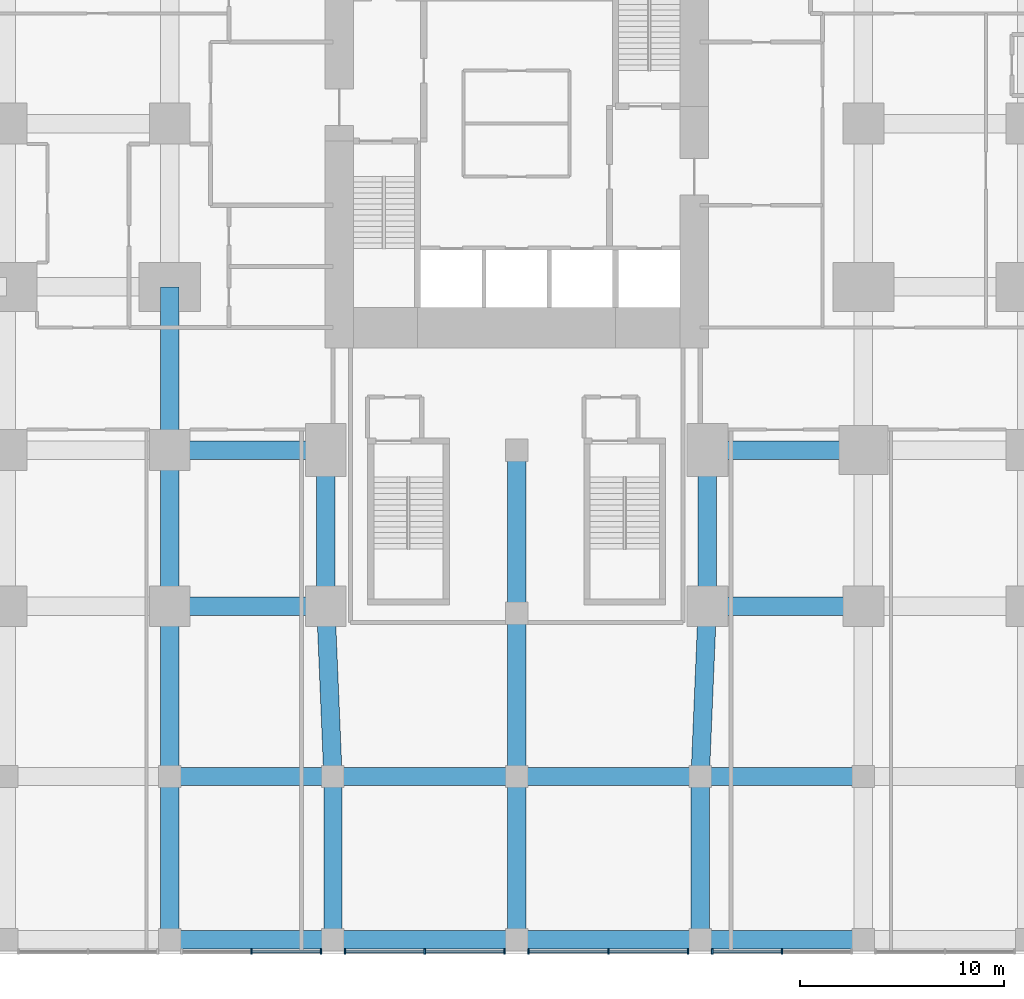
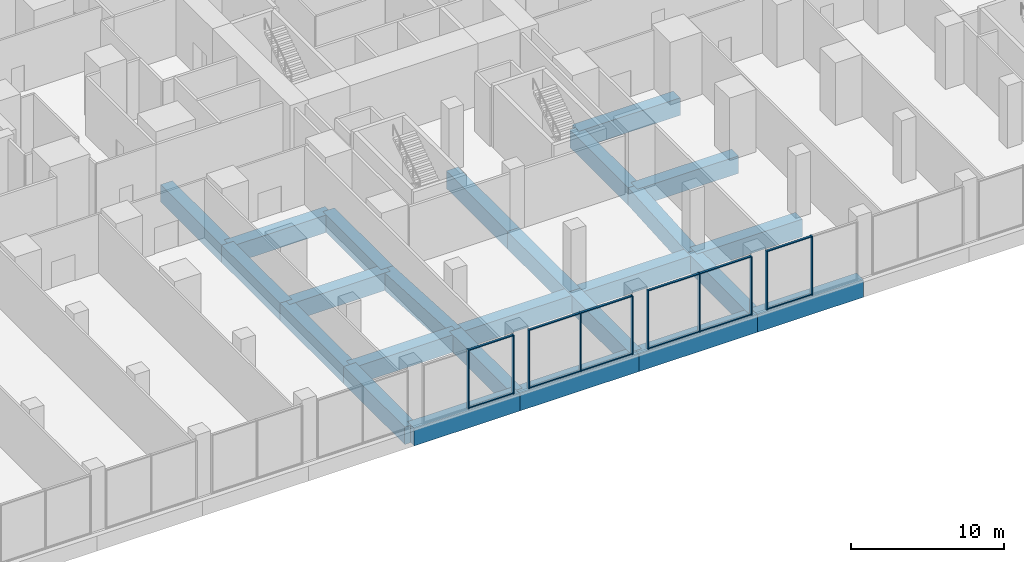
# One storey, part 3 of 22: 25 beams, 22 members, 4 elements without a shape of their own.
"""IFC4 building model written with IfcOpenShell, lengths in metres."""

from ifc_helpers import new_model, si_unit, direction, frame, origin, origin_2d, place, context, subcontext, project, spatial, rectangle, extrude, material, layer, layer_set, material_profile, profile_set, type_object, element, aggregate, save


model = new_model("IFC4")

# Units and contexts
model_context = context("Model", 3, precision=1e-05, world=origin(), true_north=direction((0.0, 1.0)))
body_context = subcontext(model_context, "Body", "Model", "MODEL_VIEW")
ifc_project = project(units=[si_unit("LENGTHUNIT", "METRE"), si_unit("AREAUNIT", "SQUARE_METRE"), si_unit("VOLUMEUNIT", "CUBIC_METRE"), si_unit("PLANEANGLEUNIT", "RADIAN"), si_unit("MASSUNIT", "GRAM", prefix="KILO")], contexts=[model_context])

# Site, building, storey
site_placement = place(None, origin())
site = spatial("IfcSite", under=ifc_project, at=site_placement, CompositionType="ELEMENT")
building_placement = place(site_placement, origin())
building = spatial("IfcBuilding", under=site, at=building_placement, Name="Cleftline Residences", CompositionType="ELEMENT")
storey_placement = place(building_placement, frame((0.0, 0.0, 6.0)))
storey = spatial("IfcBuildingStorey", under=building, at=storey_placement, Name="L01", CompositionType="ELEMENT", Elevation=6.0)

# Beams
ifc_material_1 = material(Name="Concrete B45", Category="concrete")
ifc_material_profile_1 = material_profile(ifc_material_1, rectangle(XDim=0.89990234375, YDim=1.39990234375, at=origin_2d()))
ifc_profile_set_1 = profile_set([ifc_material_profile_1], Name="Concrete B45")
beam_type = type_object("IfcBeamType", Name="BEAM RC900X1400", PredefinedType="BEAM", material=ifc_profile_set_1)
beam_1_placement = place(storey_placement, frame((16.0, -16.0, -1.0), z_axis=(1.0, 0.0, 0.0), x_axis=(0.0, 1.0, 0.0)))
element("IfcBeam", 1, at=beam_1_placement, inside=storey, type_object=beam_type, Name="Podium beam", PredefinedType="BEAM", context=body_context, shape_type="SweptSolid", body=[
    extrude(rectangle(XDim=0.89990234375, YDim=1.39990234375, at=origin_2d()), origin(), (0.0, 0.0, 1.0), 8.0),
])
for number, where, z_axis, x_axis, name in (
    (2, (24.0, -16.0, -1.0), (1.0, 0.0, 0.0), (0.0, 1.0, 0.0), "Podium beam"),
    (3, (33.0, -16.0, -1.0), (1.0, 0.0, 0.0), (0.0, 1.0, 0.0), "Podium beam"),
):
    element("IfcBeam", number, at=place(storey_placement, frame(where, z_axis=z_axis, x_axis=x_axis)), inside=storey, type_object=beam_type, Name=name, PredefinedType="BEAM", context=body_context, shape_type="SweptSolid", body=[
        extrude(rectangle(XDim=0.89990234375, YDim=1.39990234375, at=origin_2d()), origin(), (0.0, 0.0, 1.0), 9.0),
    ])
for number, where, z_axis, x_axis, name in (
    (4, (42.0, -16.0, -1.0), (1.0, 0.0, 0.0), (0.0, 1.0, 0.0), "Podium beam"),
    (5, (16.0, -8.0, -1.0), (1.0, 0.0, 0.0), (0.0, 1.0, 0.0), "Podium beam"),
):
    element("IfcBeam", number, at=place(storey_placement, frame(where, z_axis=z_axis, x_axis=x_axis)), inside=storey, type_object=beam_type, Name=name, PredefinedType="BEAM", context=body_context, shape_type="SweptSolid", body=[
        extrude(rectangle(XDim=0.89990234375, YDim=1.39990234375, at=origin_2d()), origin(), (0.0, 0.0, 1.0), 8.0),
    ])
for number, where, z_axis, x_axis, name in (
    (6, (24.0, -8.0, -1.0), (1.0, 0.0, 0.0), (0.0, 1.0, 0.0), "Podium beam"),
    (7, (33.0, -8.0, -1.0), (1.0, 0.0, 0.0), (0.0, 1.0, 0.0), "Podium beam"),
):
    element("IfcBeam", number, at=place(storey_placement, frame(where, z_axis=z_axis, x_axis=x_axis)), inside=storey, type_object=beam_type, Name=name, PredefinedType="BEAM", context=body_context, shape_type="SweptSolid", body=[
        extrude(rectangle(XDim=0.89990234375, YDim=1.39990234375, at=origin_2d()), origin(), (0.0, 0.0, 1.0), 9.0),
    ])
beam_2_placement = place(storey_placement, frame((42.0, -8.0, -1.0), z_axis=(1.0, 0.0, 0.0), x_axis=(0.0, 1.0, 0.0)))
element("IfcBeam", 8, at=beam_2_placement, inside=storey, type_object=beam_type, Name="Podium beam", PredefinedType="BEAM", context=body_context, shape_type="SweptSolid", body=[
    extrude(rectangle(XDim=0.89990234375, YDim=1.39990234375, at=origin_2d()), origin(), (0.0, 0.0, 1.0), 8.0),
])
for number, where, z_axis, x_axis, name in (
    (9, (16.0, 0.35009765625, -1.0), (1.0, 0.0, 0.0), (0.0, 1.0, 0.0), "Podium beam"),
    (10, (42.35009765625, 0.35009765625, -1.0), (1.0, 0.0, 0.0), (0.0, 1.0, 0.0), "Podium beam"),
    (11, (16.0, 8.0, -1.0), (1.0, 0.0, 0.0), (0.0, 1.0, 0.0), "Podium beam"),
    (12, (42.35009765625, 8.0, -1.0), (1.0, 0.0, 0.0), (0.0, 1.0, 0.0), "Podium beam"),
):
    element("IfcBeam", number, at=place(storey_placement, frame(where, z_axis=z_axis, x_axis=x_axis)), inside=storey, type_object=beam_type, Name=name, PredefinedType="BEAM", context=body_context, shape_type="SweptSolid", body=[
        extrude(rectangle(XDim=0.89990234375, YDim=1.39990234375, at=origin_2d()), origin(), (0.0, 0.0, 1.0), 7.64990234375),
    ])
beam_3_placement = place(storey_placement, frame((16.0, -16.0, -1.0), z_axis=(0.0, 1.0, 0.0), x_axis=(-1.0, 0.0, 0.0)))
element("IfcBeam", 13, at=beam_3_placement, inside=storey, type_object=beam_type, Name="Podium beam", PredefinedType="BEAM", context=body_context, shape_type="SweptSolid", body=[
    extrude(rectangle(XDim=0.89990234375, YDim=1.39990234375, at=origin_2d()), origin(), (0.0, 0.0, 1.0), 8.0),
])
beam_4_placement = place(storey_placement, frame((16.0, -8.0, -1.0), z_axis=(0.0, 1.0, 0.0), x_axis=(-1.0, 0.0, 0.0)))
element("IfcBeam", 14, at=beam_4_placement, inside=storey, type_object=beam_type, Name="Podium beam", PredefinedType="BEAM", context=body_context, shape_type="SweptSolid", body=[
    extrude(rectangle(XDim=0.89990234375, YDim=1.39990234375, at=origin_2d()), origin(), (0.0, 0.0, 1.0), 8.35009765625),
])
beam_5_placement = place(storey_placement, frame((16.0, 0.35009765625, -1.0), z_axis=(0.0, 1.0, 0.0), x_axis=(-1.0, 0.0, 0.0)))
element("IfcBeam", 15, at=beam_5_placement, inside=storey, type_object=beam_type, Name="Podium beam", PredefinedType="BEAM", context=body_context, shape_type="SweptSolid", body=[
    extrude(rectangle(XDim=0.89990234375, YDim=1.39990234375, at=origin_2d()), origin(), (0.0, 0.0, 1.0), 7.64990234375),
])
for number, where, z_axis, x_axis, name in (
    (16, (16.0, 8.0, -1.0), (0.0, 1.0, 0.0), (-1.0, 0.0, 0.0), "Podium beam"),
    (17, (24.0, -16.0, -1.0), (0.0, 1.0, 0.0), (-1.0, 0.0, 0.0), "Podium beam"),
):
    element("IfcBeam", number, at=place(storey_placement, frame(where, z_axis=z_axis, x_axis=x_axis)), inside=storey, type_object=beam_type, Name=name, PredefinedType="BEAM", context=body_context, shape_type="SweptSolid", body=[
        extrude(rectangle(XDim=0.89990234375, YDim=1.39990234375, at=origin_2d()), origin(), (0.0, 0.0, 1.0), 8.0),
    ])
beam_6_placement = place(storey_placement, frame((24.0, -8.0, -1.0), z_axis=(-0.041890569024, 0.999122204851, 0.0), x_axis=(-0.999122204851, -0.041890569024, 0.0)))
element("IfcBeam", 18, at=beam_6_placement, inside=storey, type_object=beam_type, Name="Podium beam", PredefinedType="BEAM", context=body_context, shape_type="SweptSolid", body=[
    extrude(rectangle(XDim=0.89990234375, YDim=1.39990234375, at=origin_2d()), origin(), (0.0, 0.0, 1.0), 8.357421875),
])
beam_7_placement = place(storey_placement, frame((23.64990234375, 0.35009765625, -1.0), z_axis=(0.0, 1.0, 0.0), x_axis=(-1.0, 0.0, 0.0)))
element("IfcBeam", 19, at=beam_7_placement, inside=storey, type_object=beam_type, Name="Podium beam", PredefinedType="BEAM", context=body_context, shape_type="SweptSolid", body=[
    extrude(rectangle(XDim=0.89990234375, YDim=1.39990234375, at=origin_2d()), origin(), (0.0, 0.0, 1.0), 7.64990234375),
])
for number, where, z_axis, x_axis, name in (
    (20, (33.0, -16.0, -1.0), (0.0, 1.0, 0.0), (-1.0, 0.0, 0.0), "Podium beam"),
    (21, (33.0, -8.0, -1.0), (0.0, 1.0, 0.0), (-1.0, 0.0, 0.0), "Podium beam"),
    (22, (33.0, 0.0, -1.0), (0.0, 1.0, 0.0), (-1.0, 0.0, 0.0), "Podium beam"),
    (23, (42.0, -16.0, -1.0), (0.0, 1.0, 0.0), (-1.0, 0.0, 0.0), "Podium beam"),
):
    element("IfcBeam", number, at=place(storey_placement, frame(where, z_axis=z_axis, x_axis=x_axis)), inside=storey, type_object=beam_type, Name=name, PredefinedType="BEAM", context=body_context, shape_type="SweptSolid", body=[
        extrude(rectangle(XDim=0.89990234375, YDim=1.39990234375, at=origin_2d()), origin(), (0.0, 0.0, 1.0), 8.0),
    ])
beam_8_placement = place(storey_placement, frame((42.0, -8.0, -1.0), z_axis=(0.041890569024, 0.999122204851, 0.0), x_axis=(-0.999122204851, 0.041890569024, 0.0)))
element("IfcBeam", 24, at=beam_8_placement, inside=storey, type_object=beam_type, Name="Podium beam", PredefinedType="BEAM", context=body_context, shape_type="SweptSolid", body=[
    extrude(rectangle(XDim=0.89990234375, YDim=1.39990234375, at=origin_2d()), origin(), (0.0, 0.0, 1.0), 8.357421875),
])
beam_9_placement = place(storey_placement, frame((42.35009765625, 0.35009765625, -1.0), z_axis=(0.0, 1.0, 0.0), x_axis=(-1.0, 0.0, 0.0)))
element("IfcBeam", 25, at=beam_9_placement, inside=storey, type_object=beam_type, Name="Podium beam", PredefinedType="BEAM", context=body_context, shape_type="SweptSolid", body=[
    extrude(rectangle(XDim=0.89990234375, YDim=1.39990234375, at=origin_2d()), origin(), (0.0, 0.0, 1.0), 7.64990234375),
])

# Curtain wall, members
ifc_material_2 = material(Name="Aluminium framed curtain wall", Category="aluminium")
ifc_layer = layer(ifc_material_2, 0.199951171875)
ifc_layer_set = layer_set([ifc_layer], Name="CW2 PODIUM GLAZING")
curtain_wall_type = type_object("IfcCurtainWallType", Name="CW2 PODIUM GLAZING", PredefinedType="NOTDEFINED", material=ifc_layer_set)
curtain_wall_1_placement = place(storey_placement, origin())
curtain_wall_1 = element("IfcCurtainWall", 26, at=curtain_wall_1_placement, inside=storey, type_object=curtain_wall_type, Name="Curtain wall CW2", PredefinedType="NOTDEFINED")
ifc_material_3 = material(Name="Aluminium mullion", Category="aluminium")
ifc_material_profile_2 = material_profile(ifc_material_3, rectangle(XDim=0.25, YDim=0.080078125, at=origin_2d()))
ifc_profile_set_2 = profile_set([ifc_material_profile_2], Name="Aluminium mullion")
member_type_1 = type_object("IfcMemberType", Name="CW2 MULLION", PredefinedType="MULLION", material=ifc_profile_set_2)
member_1_placement = place(storey_placement, frame((20.0, -16.574951171875, 0.0), z_axis=(0.0, 0.0, 1.0), x_axis=(0.0, 1.0, 0.0)))
member_1 = element("IfcMember", 27, at=member_1_placement, type_object=member_type_1, Name="CW2 mullion 2", PredefinedType="MULLION", context=body_context, shape_type="SweptSolid", body=[
    extrude(rectangle(XDim=0.25, YDim=0.080078125, at=origin_2d()), origin(), (0.0, 0.0, 1.0), 4.699951171875),
])
member_2_placement = place(storey_placement, frame((23.409912109375, -16.574951171875, 0.0), z_axis=(0.0, 0.0, 1.0), x_axis=(0.0, 1.0, 0.0)))
member_2 = element("IfcMember", 28, at=member_2_placement, type_object=member_type_1, Name="CW2 mullion 3", PredefinedType="MULLION", context=body_context, shape_type="SweptSolid", body=[
    extrude(rectangle(XDim=0.25, YDim=0.080078125, at=origin_2d()), origin(), (0.0, 0.0, 1.0), 4.699951171875),
])

curtain_wall_2_placement = place(storey_placement, origin())
curtain_wall_2 = element("IfcCurtainWall", 29, at=curtain_wall_2_placement, inside=storey, type_object=curtain_wall_type, Name="Curtain wall CW2", PredefinedType="NOTDEFINED")
member_3_placement = place(storey_placement, frame((24.590087890625, -16.574951171875, 0.0), z_axis=(0.0, 0.0, 1.0), x_axis=(0.0, 1.0, 0.0)))
member_3 = element("IfcMember", 30, at=member_3_placement, type_object=member_type_1, Name="CW2 mullion 1", PredefinedType="MULLION", context=body_context, shape_type="SweptSolid", body=[
    extrude(rectangle(XDim=0.25, YDim=0.080078125, at=origin_2d()), origin(), (0.0, 0.0, 1.0), 4.699951171875),
])
member_4_placement = place(storey_placement, frame((28.5, -16.574951171875, 0.0), z_axis=(0.0, 0.0, 1.0), x_axis=(0.0, 1.0, 0.0)))
member_4 = element("IfcMember", 31, at=member_4_placement, type_object=member_type_1, Name="CW2 mullion 2", PredefinedType="MULLION", context=body_context, shape_type="SweptSolid", body=[
    extrude(rectangle(XDim=0.25, YDim=0.080078125, at=origin_2d()), origin(), (0.0, 0.0, 1.0), 4.699951171875),
])
member_5_placement = place(storey_placement, frame((32.409912109375, -16.574951171875, 0.0), z_axis=(0.0, 0.0, 1.0), x_axis=(0.0, 1.0, 0.0)))
member_5 = element("IfcMember", 32, at=member_5_placement, type_object=member_type_1, Name="CW2 mullion 3", PredefinedType="MULLION", context=body_context, shape_type="SweptSolid", body=[
    extrude(rectangle(XDim=0.25, YDim=0.080078125, at=origin_2d()), origin(), (0.0, 0.0, 1.0), 4.699951171875),
])

curtain_wall_3_placement = place(storey_placement, origin())
curtain_wall_3 = element("IfcCurtainWall", 33, at=curtain_wall_3_placement, inside=storey, type_object=curtain_wall_type, Name="Curtain wall CW2", PredefinedType="NOTDEFINED")
member_6_placement = place(storey_placement, frame((33.590087890625, -16.574951171875, 0.0), z_axis=(0.0, 0.0, 1.0), x_axis=(0.0, 1.0, 0.0)))
member_6 = element("IfcMember", 34, at=member_6_placement, type_object=member_type_1, Name="CW2 mullion 1", PredefinedType="MULLION", context=body_context, shape_type="SweptSolid", body=[
    extrude(rectangle(XDim=0.25, YDim=0.080078125, at=origin_2d()), origin(), (0.0, 0.0, 1.0), 4.699951171875),
])
member_7_placement = place(storey_placement, frame((37.5, -16.574951171875, 0.0), z_axis=(0.0, 0.0, 1.0), x_axis=(0.0, 1.0, 0.0)))
member_7 = element("IfcMember", 35, at=member_7_placement, type_object=member_type_1, Name="CW2 mullion 2", PredefinedType="MULLION", context=body_context, shape_type="SweptSolid", body=[
    extrude(rectangle(XDim=0.25, YDim=0.080078125, at=origin_2d()), origin(), (0.0, 0.0, 1.0), 4.699951171875),
])
member_8_placement = place(storey_placement, frame((41.409912109375, -16.574951171875, 0.0), z_axis=(0.0, 0.0, 1.0), x_axis=(0.0, 1.0, 0.0)))
member_8 = element("IfcMember", 36, at=member_8_placement, type_object=member_type_1, Name="CW2 mullion 3", PredefinedType="MULLION", context=body_context, shape_type="SweptSolid", body=[
    extrude(rectangle(XDim=0.25, YDim=0.080078125, at=origin_2d()), origin(), (0.0, 0.0, 1.0), 4.699951171875),
])

curtain_wall_4_placement = place(storey_placement, origin())
curtain_wall_4 = element("IfcCurtainWall", 37, at=curtain_wall_4_placement, inside=storey, type_object=curtain_wall_type, Name="Curtain wall CW2", PredefinedType="NOTDEFINED")
member_9_placement = place(storey_placement, frame((42.590087890625, -16.574951171875, 0.0), z_axis=(0.0, 0.0, 1.0), x_axis=(0.0, 1.0, 0.0)))
member_9 = element("IfcMember", 38, at=member_9_placement, type_object=member_type_1, Name="CW2 mullion 1", PredefinedType="MULLION", context=body_context, shape_type="SweptSolid", body=[
    extrude(rectangle(XDim=0.25, YDim=0.080078125, at=origin_2d()), origin(), (0.0, 0.0, 1.0), 4.699951171875),
])
member_10_placement = place(storey_placement, frame((46.0, -16.574951171875, 0.0), z_axis=(0.0, 0.0, 1.0), x_axis=(0.0, 1.0, 0.0)))
member_10 = element("IfcMember", 39, at=member_10_placement, type_object=member_type_1, Name="CW2 mullion 2", PredefinedType="MULLION", context=body_context, shape_type="SweptSolid", body=[
    extrude(rectangle(XDim=0.25, YDim=0.080078125, at=origin_2d()), origin(), (0.0, 0.0, 1.0), 4.699951171875),
])

# Member
ifc_material_4 = material(Name="Aluminium transom", Category="aluminium")
ifc_material_profile_3 = material_profile(ifc_material_4, rectangle(XDim=0.14990234375, YDim=0.080078125, at=origin_2d()))
ifc_profile_set_3 = profile_set([ifc_material_profile_3], Name="Aluminium transom")
member_type_2 = type_object("IfcMemberType", Name="CW2 TRANSOM", PredefinedType="USERDEFINED", material=ifc_profile_set_3)
member_11_placement = place(storey_placement, frame((20.0400390625, -16.574951171875, 0.0400390625), z_axis=(1.0, 0.0, 0.0), x_axis=(0.0, 1.0, 0.0)))
member_11 = element("IfcMember", 40, at=member_11_placement, type_object=member_type_2, Name="CW2 transom 2.1", ObjectType="TRANSOM", PredefinedType="USERDEFINED", context=body_context, shape_type="SweptSolid", body=[
    extrude(rectangle(XDim=0.14990234375, YDim=0.080078125, at=origin_2d()), origin(), (0.0, 0.0, 1.0), 3.330078125),
])

member_12_placement = place(storey_placement, frame((20.0400390625, -16.574951171875, 4.659912109375), z_axis=(1.0, 0.0, 0.0), x_axis=(0.0, 1.0, 0.0)))
member_12 = element("IfcMember", 41, at=member_12_placement, type_object=member_type_2, Name="CW2 transom 2.2", ObjectType="TRANSOM", PredefinedType="USERDEFINED", context=body_context, shape_type="SweptSolid", body=[
    extrude(rectangle(XDim=0.14990234375, YDim=0.080078125, at=origin_2d()), origin(), (0.0, 0.0, 1.0), 3.330078125),
])

aggregate(curtain_wall_1, [member_1, member_2, member_11, member_12])

member_13_placement = place(storey_placement, frame((24.6298828125, -16.574951171875, 0.0400390625), z_axis=(1.0, 0.0, 0.0), x_axis=(0.0, 1.0, 0.0)))
member_13 = element("IfcMember", 42, at=member_13_placement, type_object=member_type_2, Name="CW2 transom 1.1", ObjectType="TRANSOM", PredefinedType="USERDEFINED", context=body_context, shape_type="SweptSolid", body=[
    extrude(rectangle(XDim=0.14990234375, YDim=0.080078125, at=origin_2d()), origin(), (0.0, 0.0, 1.0), 3.830078125),
])

member_14_placement = place(storey_placement, frame((24.6298828125, -16.574951171875, 4.659912109375), z_axis=(1.0, 0.0, 0.0), x_axis=(0.0, 1.0, 0.0)))
member_14 = element("IfcMember", 43, at=member_14_placement, type_object=member_type_2, Name="CW2 transom 1.2", ObjectType="TRANSOM", PredefinedType="USERDEFINED", context=body_context, shape_type="SweptSolid", body=[
    extrude(rectangle(XDim=0.14990234375, YDim=0.080078125, at=origin_2d()), origin(), (0.0, 0.0, 1.0), 3.830078125),
])

member_15_placement = place(storey_placement, frame((28.5400390625, -16.574951171875, 0.0400390625), z_axis=(1.0, 0.0, 0.0), x_axis=(0.0, 1.0, 0.0)))
member_15 = element("IfcMember", 44, at=member_15_placement, type_object=member_type_2, Name="CW2 transom 2.1", ObjectType="TRANSOM", PredefinedType="USERDEFINED", context=body_context, shape_type="SweptSolid", body=[
    extrude(rectangle(XDim=0.14990234375, YDim=0.080078125, at=origin_2d()), origin(), (0.0, 0.0, 1.0), 3.830078125),
])

member_16_placement = place(storey_placement, frame((28.5400390625, -16.574951171875, 4.659912109375), z_axis=(1.0, 0.0, 0.0), x_axis=(0.0, 1.0, 0.0)))
member_16 = element("IfcMember", 45, at=member_16_placement, type_object=member_type_2, Name="CW2 transom 2.2", ObjectType="TRANSOM", PredefinedType="USERDEFINED", context=body_context, shape_type="SweptSolid", body=[
    extrude(rectangle(XDim=0.14990234375, YDim=0.080078125, at=origin_2d()), origin(), (0.0, 0.0, 1.0), 3.830078125),
])

aggregate(curtain_wall_2, [member_3, member_4, member_5, member_13, member_14, member_15, member_16])

member_17_placement = place(storey_placement, frame((33.6298828125, -16.574951171875, 0.0400390625), z_axis=(1.0, 0.0, 0.0), x_axis=(0.0, 1.0, 0.0)))
member_17 = element("IfcMember", 46, at=member_17_placement, type_object=member_type_2, Name="CW2 transom 1.1", ObjectType="TRANSOM", PredefinedType="USERDEFINED", context=body_context, shape_type="SweptSolid", body=[
    extrude(rectangle(XDim=0.14990234375, YDim=0.080078125, at=origin_2d()), origin(), (0.0, 0.0, 1.0), 3.830078125),
])

member_18_placement = place(storey_placement, frame((33.6298828125, -16.574951171875, 4.659912109375), z_axis=(1.0, 0.0, 0.0), x_axis=(0.0, 1.0, 0.0)))
member_18 = element("IfcMember", 47, at=member_18_placement, type_object=member_type_2, Name="CW2 transom 1.2", ObjectType="TRANSOM", PredefinedType="USERDEFINED", context=body_context, shape_type="SweptSolid", body=[
    extrude(rectangle(XDim=0.14990234375, YDim=0.080078125, at=origin_2d()), origin(), (0.0, 0.0, 1.0), 3.830078125),
])

member_19_placement = place(storey_placement, frame((37.5400390625, -16.574951171875, 0.0400390625), z_axis=(1.0, 0.0, 0.0), x_axis=(0.0, 1.0, 0.0)))
member_19 = element("IfcMember", 48, at=member_19_placement, type_object=member_type_2, Name="CW2 transom 2.1", ObjectType="TRANSOM", PredefinedType="USERDEFINED", context=body_context, shape_type="SweptSolid", body=[
    extrude(rectangle(XDim=0.14990234375, YDim=0.080078125, at=origin_2d()), origin(), (0.0, 0.0, 1.0), 3.830078125),
])

member_20_placement = place(storey_placement, frame((37.5400390625, -16.574951171875, 4.659912109375), z_axis=(1.0, 0.0, 0.0), x_axis=(0.0, 1.0, 0.0)))
member_20 = element("IfcMember", 49, at=member_20_placement, type_object=member_type_2, Name="CW2 transom 2.2", ObjectType="TRANSOM", PredefinedType="USERDEFINED", context=body_context, shape_type="SweptSolid", body=[
    extrude(rectangle(XDim=0.14990234375, YDim=0.080078125, at=origin_2d()), origin(), (0.0, 0.0, 1.0), 3.830078125),
])

aggregate(curtain_wall_3, [member_6, member_7, member_8, member_17, member_18, member_19, member_20])

member_21_placement = place(storey_placement, frame((42.6298828125, -16.574951171875, 0.0400390625), z_axis=(1.0, 0.0, 0.0), x_axis=(0.0, 1.0, 0.0)))
member_21 = element("IfcMember", 50, at=member_21_placement, type_object=member_type_2, Name="CW2 transom 1.1", ObjectType="TRANSOM", PredefinedType="USERDEFINED", context=body_context, shape_type="SweptSolid", body=[
    extrude(rectangle(XDim=0.14990234375, YDim=0.080078125, at=origin_2d()), origin(), (0.0, 0.0, 1.0), 3.330078125),
])

member_22_placement = place(storey_placement, frame((42.6298828125, -16.574951171875, 4.659912109375), z_axis=(1.0, 0.0, 0.0), x_axis=(0.0, 1.0, 0.0)))
member_22 = element("IfcMember", 51, at=member_22_placement, type_object=member_type_2, Name="CW2 transom 1.2", ObjectType="TRANSOM", PredefinedType="USERDEFINED", context=body_context, shape_type="SweptSolid", body=[
    extrude(rectangle(XDim=0.14990234375, YDim=0.080078125, at=origin_2d()), origin(), (0.0, 0.0, 1.0), 3.330078125),
])

aggregate(curtain_wall_4, [member_9, member_10, member_21, member_22])

save(model, "model.ifc")
